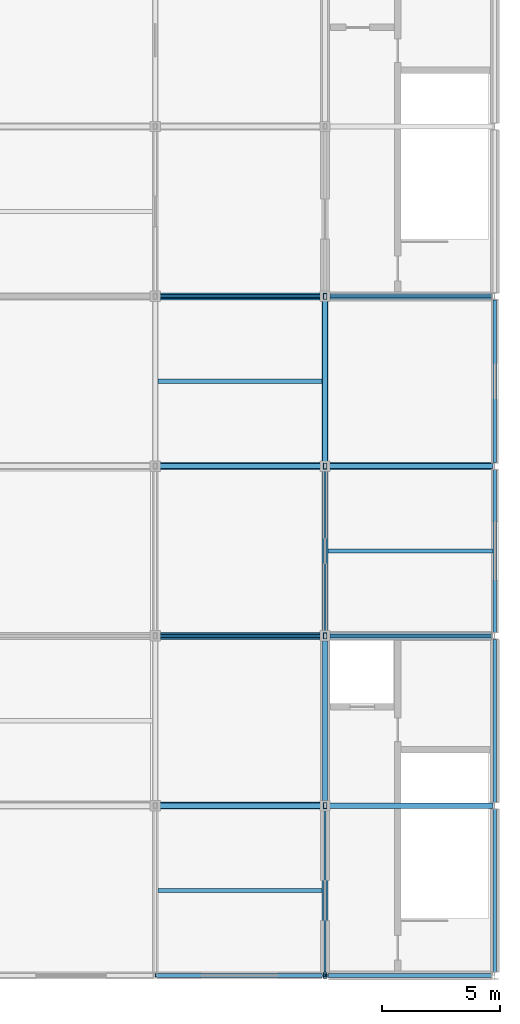
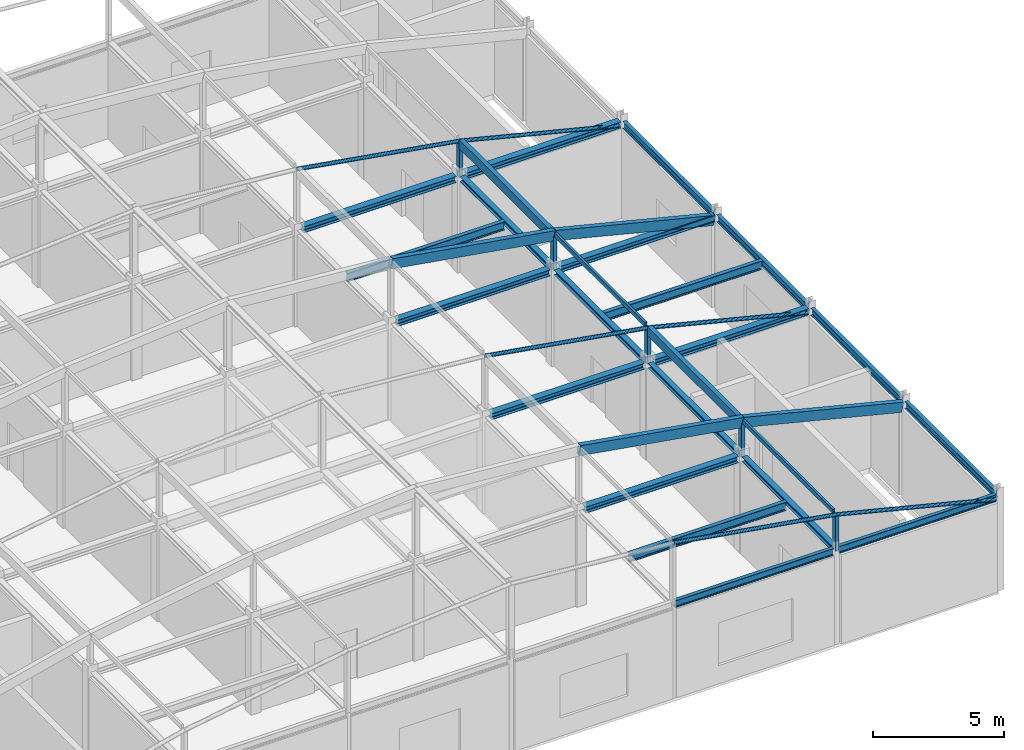
# One storey, part 11 of 23: 20 beams, 19 members.
"""IFC4 building model written with IfcOpenShell, lengths in metres."""

from ifc_helpers import new_model, si_unit, direction, frame, origin, origin_2d, place, context, subcontext, project, spatial, rectangle, hollow_rectangle, hollow_circle, i_section, extrude, material, material_profile, profile_set, type_object, element, save


model = new_model("IFC4")

# Units and contexts
model_context = context("Model", 3, precision=1e-05, world=origin(), true_north=direction((0.0, 1.0)))
body_context = subcontext(model_context, "Body", "Model", "MODEL_VIEW")
ifc_project = project(units=[si_unit("LENGTHUNIT", "METRE"), si_unit("AREAUNIT", "SQUARE_METRE"), si_unit("VOLUMEUNIT", "CUBIC_METRE"), si_unit("PLANEANGLEUNIT", "RADIAN"), si_unit("MASSUNIT", "GRAM", prefix="KILO")], contexts=[model_context])

# Site, building, storey
site_placement = place(None, origin())
site = spatial("IfcSite", under=ifc_project, at=site_placement, CompositionType="ELEMENT")
building_placement = place(site_placement, origin())
building = spatial("IfcBuilding", under=site, at=building_placement, Name="Cendaluz Park School", CompositionType="ELEMENT")
storey_placement = place(building_placement, frame((0.0, 0.0, 67.199951171875)))
storey = spatial("IfcBuildingStorey", under=building, at=storey_placement, Name="L16", CompositionType="ELEMENT", Elevation=67.199951171875)

# Beams
ifc_material_1 = material(Name="Steel S355", Category="steel")
ifc_material_profile_1 = material_profile(ifc_material_1, i_section(OverallWidth=0.300048828125, OverallDepth=0.2900390625, WebThickness=0.009033203125, FlangeThickness=0.013916015625, FilletRadius=0.027099609375, at=origin_2d()), Name="HEA 300", Category="steel")
ifc_profile_set_1 = profile_set([ifc_material_profile_1], Name="Steel S355")
beam_type_1 = type_object("IfcBeamType", Name="BM-ST05", PredefinedType="BEAM", material=ifc_profile_set_1)
for number, where, z_axis, x_axis, name in (
    (1, (93.820068359375, 21.60009765625, 4.344970703125), (1.0, 0.0, 0.0), (0.0, 1.0, 0.0), "BM-L16-BMST05-0026"),
    (2, (93.820068359375, 28.800048828125, 4.344970703125), (1.0, 0.0, 0.0), (0.0, 1.0, 0.0), "BM-L16-BMST05-0027"),
    (3, (93.820068359375, 36.0, 4.344970703125), (1.0, 0.0, 0.0), (0.0, 1.0, 0.0), "BM-L16-BMST05-0028"),
    (4, (93.820068359375, 43.199951171875, 4.344970703125), (1.0, 0.0, 0.0), (0.0, 1.0, 0.0), "BM-L16-BMST05-0029"),
):
    element("IfcBeam", number, at=place(storey_placement, frame(where, z_axis=z_axis, x_axis=x_axis)), inside=storey, type_object=beam_type_1, Name=name, PredefinedType="BEAM", context=body_context, shape_type="SweptSolid", body=[
        extrude(i_section(OverallWidth=0.300048828125, OverallDepth=0.2900390625, WebThickness=0.009033203125, FlangeThickness=0.013916015625, FilletRadius=0.027099609375, at=origin_2d()), origin(), (0.0, 0.0, 1.0), 6.760009765625),
    ])
for number, where, z_axis, x_axis, name in (
    (5, (101.02001953125, 28.800048828125, 4.344970703125), (1.0, 0.0, 0.0), (0.0, 1.0, 0.0), "BM-L16-BMST05-0033"),
    (6, (101.02001953125, 36.0, 4.344970703125), (1.0, 0.0, 0.0), (0.0, 1.0, 0.0), "BM-L16-BMST05-0034"),
    (7, (101.02001953125, 43.199951171875, 4.344970703125), (1.0, 0.0, 0.0), (0.0, 1.0, 0.0), "BM-L16-BMST05-0035"),
):
    element("IfcBeam", number, at=place(storey_placement, frame(where, z_axis=z_axis, x_axis=x_axis)), inside=storey, type_object=beam_type_1, Name=name, PredefinedType="BEAM", context=body_context, shape_type="SweptSolid", body=[
        extrude(i_section(OverallWidth=0.300048828125, OverallDepth=0.2900390625, WebThickness=0.009033203125, FlangeThickness=0.013916015625, FilletRadius=0.027099609375, at=origin_2d()), origin(), (0.0, 0.0, 1.0), 6.830078125),
    ])
ifc_material_profile_2 = material_profile(ifc_material_1, i_section(OverallWidth=0.239990234375, OverallDepth=0.22998046875, WebThickness=0.008056640625, FlangeThickness=0.011962890625, FilletRadius=0.02099609375, at=origin_2d()), Name="HEA 240", Category="steel")
ifc_profile_set_2 = profile_set([ifc_material_profile_2], Name="Steel S355")
beam_type_2 = type_object("IfcBeamType", Name="BM-ST06", PredefinedType="BEAM", material=ifc_profile_set_2)
beam_1_placement = place(storey_placement, frame((100.800048828125, 14.53662109375, 4.375), z_axis=(0.0, 1.0, 0.0), x_axis=(-1.0, 0.0, 0.0)))
element("IfcBeam", 8, at=beam_1_placement, inside=storey, type_object=beam_type_2, Name="BM-L16-BMST06-0065", PredefinedType="BEAM", context=body_context, shape_type="SweptSolid", body=[
    extrude(i_section(OverallWidth=0.239990234375, OverallDepth=0.22998046875, WebThickness=0.008056640625, FlangeThickness=0.011962890625, FilletRadius=0.02099609375, at=origin_2d()), origin(), (0.0, 0.0, 1.0), 6.84326171875),
])
for number, where, z_axis, x_axis, name in (
    (9, (100.800048828125, 21.820068359375, 4.375), (0.0, 1.0, 0.0), (-1.0, 0.0, 0.0), "BM-L16-BMST06-0066"),
    (10, (100.800048828125, 29.02001953125, 4.375), (0.0, 1.0, 0.0), (-1.0, 0.0, 0.0), "BM-L16-BMST06-0067"),
    (11, (100.800048828125, 36.219970703125, 4.375), (0.0, 1.0, 0.0), (-1.0, 0.0, 0.0), "BM-L16-BMST06-0068"),
):
    element("IfcBeam", number, at=place(storey_placement, frame(where, z_axis=z_axis, x_axis=x_axis)), inside=storey, type_object=beam_type_2, Name=name, PredefinedType="BEAM", context=body_context, shape_type="SweptSolid", body=[
        extrude(i_section(OverallWidth=0.239990234375, OverallDepth=0.22998046875, WebThickness=0.008056640625, FlangeThickness=0.011962890625, FilletRadius=0.02099609375, at=origin_2d()), origin(), (0.0, 0.0, 1.0), 6.760009765625),
    ])
ifc_material_profile_3 = material_profile(ifc_material_1, i_section(OverallWidth=0.179931640625, OverallDepth=0.39990234375, WebThickness=0.009033203125, FlangeThickness=0.013916015625, FilletRadius=0.02099609375, at=origin_2d()), Name="IPE 400", Category="steel")
ifc_profile_set_3 = profile_set([ifc_material_profile_3], Name="Steel S355")
beam_type_3 = type_object("IfcBeamType", Name="BM-ST07", PredefinedType="BEAM", material=ifc_profile_set_3)
for number, where, z_axis, x_axis, name in (
    (12, (93.719970703125, 18.0, 4.2900390625), (1.0, 0.0, 0.0), (0.0, 1.0, 0.0), "BM-L16-BMST07-0086"),
    (13, (93.719970703125, 39.60009765625, 4.2900390625), (1.0, 0.0, 0.0), (0.0, 1.0, 0.0), "BM-L16-BMST07-0087"),
):
    element("IfcBeam", number, at=place(storey_placement, frame(where, z_axis=z_axis, x_axis=x_axis)), inside=storey, type_object=beam_type_3, Name=name, PredefinedType="BEAM", context=body_context, shape_type="SweptSolid", body=[
        extrude(i_section(OverallWidth=0.179931640625, OverallDepth=0.39990234375, WebThickness=0.009033203125, FlangeThickness=0.013916015625, FilletRadius=0.02099609375, at=origin_2d()), origin(), (0.0, 0.0, 1.0), 6.9599609375),
    ])
beam_2_placement = place(storey_placement, frame((100.919921875, 32.39990234375, 4.2900390625), z_axis=(1.0, 0.0, 0.0), x_axis=(0.0, 1.0, 0.0)))
element("IfcBeam", 14, at=beam_2_placement, inside=storey, type_object=beam_type_3, Name="BM-L16-BMST07-0088", PredefinedType="BEAM", context=body_context, shape_type="SweptSolid", body=[
    extrude(i_section(OverallWidth=0.179931640625, OverallDepth=0.39990234375, WebThickness=0.009033203125, FlangeThickness=0.013916015625, FilletRadius=0.02099609375, at=origin_2d()), origin(), (0.0, 0.0, 1.0), 7.0),
])
ifc_material_profile_4 = material_profile(ifc_material_1, i_section(OverallWidth=0.159912109375, OverallDepth=0.330078125, WebThickness=0.008056640625, FlangeThickness=0.011962890625, FilletRadius=0.01806640625, at=origin_2d()), Name="IPE 330", Category="steel")
ifc_profile_set_4 = profile_set([ifc_material_profile_4], Name="Steel S355")
beam_type_4 = type_object("IfcBeamType", Name="BM-ST08", PredefinedType="LINTEL", material=ifc_profile_set_4)
beam_3_placement = place(storey_placement, frame((93.675048828125, 14.39990234375, 4.324951171875), z_axis=(1.0, 0.0, 0.0), x_axis=(0.0, 1.0, 0.0)))
element("IfcBeam", 15, at=beam_3_placement, inside=storey, type_object=beam_type_4, Name="BM-L16-BMST08-0025", PredefinedType="LINTEL", context=body_context, shape_type="SweptSolid", body=[
    extrude(i_section(OverallWidth=0.159912109375, OverallDepth=0.330078125, WebThickness=0.008056640625, FlangeThickness=0.011962890625, FilletRadius=0.01806640625, at=origin_2d()), origin(), (0.0, 0.0, 1.0), 6.988525390625),
])
beam_4_placement = place(storey_placement, frame((100.9365234375, 14.39990234375, 4.324951171875), z_axis=(1.0, 0.0, 0.0), x_axis=(0.0, 1.0, 0.0)))
element("IfcBeam", 16, at=beam_4_placement, inside=storey, type_object=beam_type_4, Name="BM-L16-BMST08-0032", PredefinedType="LINTEL", context=body_context, shape_type="SweptSolid", body=[
    extrude(i_section(OverallWidth=0.159912109375, OverallDepth=0.330078125, WebThickness=0.008056640625, FlangeThickness=0.011962890625, FilletRadius=0.01806640625, at=origin_2d()), origin(), (0.0, 0.0, 1.0), 6.91357421875),
])
beam_5_placement = place(storey_placement, frame((108.0, 14.550048828125, 4.324951171875), z_axis=(0.0, 1.0, 0.0), x_axis=(-1.0, 0.0, 0.0)))
element("IfcBeam", 17, at=beam_5_placement, inside=storey, type_object=beam_type_4, Name="BM-L16-BMST08-0071", PredefinedType="LINTEL", context=body_context, shape_type="SweptSolid", body=[
    extrude(i_section(OverallWidth=0.159912109375, OverallDepth=0.330078125, WebThickness=0.008056640625, FlangeThickness=0.011962890625, FilletRadius=0.01806640625, at=origin_2d()), origin(), (0.0, 0.0, 1.0), 6.905029296875),
])
beam_6_placement = place(storey_placement, frame((108.0, 21.7451171875, 4.324951171875), z_axis=(0.0, 1.0, 0.0), x_axis=(-1.0, 0.0, 0.0)))
element("IfcBeam", 18, at=beam_6_placement, inside=storey, type_object=beam_type_4, Name="BM-L16-BMST08-0072", PredefinedType="LINTEL", context=body_context, shape_type="SweptSolid", body=[
    extrude(i_section(OverallWidth=0.159912109375, OverallDepth=0.330078125, WebThickness=0.008056640625, FlangeThickness=0.011962890625, FilletRadius=0.01806640625, at=origin_2d()), origin(), (0.0, 0.0, 1.0), 6.90478515625),
])
for number, where, z_axis, x_axis, name in (
    (19, (108.0, 28.949951171875, 4.324951171875), (0.0, 1.0, 0.0), (-1.0, 0.0, 0.0), "BM-L16-BMST08-0073"),
    (20, (108.0, 36.14501953125, 4.324951171875), (0.0, 1.0, 0.0), (-1.0, 0.0, 0.0), "BM-L16-BMST08-0074"),
):
    element("IfcBeam", number, at=place(storey_placement, frame(where, z_axis=z_axis, x_axis=x_axis)), inside=storey, type_object=beam_type_4, Name=name, PredefinedType="LINTEL", context=body_context, shape_type="SweptSolid", body=[
        extrude(i_section(OverallWidth=0.159912109375, OverallDepth=0.330078125, WebThickness=0.008056640625, FlangeThickness=0.011962890625, FilletRadius=0.01806640625, at=origin_2d()), origin(), (0.0, 0.0, 1.0), 6.905029296875),
    ])

# Members
ifc_material_profile_5 = material_profile(ifc_material_1, hollow_circle(Radius=0.083984375, WallThickness=0.008056640625, at=origin_2d()), Name="CHS 168x8", Category="steel")
ifc_profile_set_5 = profile_set([ifc_material_profile_5], Name="Steel S355")
member_type_1 = type_object("IfcMemberType", Name="MB-CH02", PredefinedType="CHORD", material=ifc_profile_set_5)
member_1_placement = place(storey_placement, frame((93.60009765625, 14.39990234375, 7.179931640625), z_axis=(0.986394827799, 0.0, -0.164393563414), x_axis=(0.0, 1.0, 0.0)))
element("IfcMember", 21, at=member_1_placement, inside=storey, type_object=member_type_1, Name="MB-L16-MBCH02-0010", PredefinedType="CHORD", context=body_context, shape_type="SweptSolid", body=[
    extrude(hollow_circle(Radius=0.083984375, WallThickness=0.008056640625, at=origin_2d()), origin(), (0.0, 0.0, 1.0), 7.29931640625),
])
member_2_placement = place(storey_placement, frame((100.800048828125, 14.39990234375, 5.97998046875), z_axis=(0.970304131105, 0.0, -0.241888183178), x_axis=(0.0, 1.0, 0.0)))
element("IfcMember", 22, at=member_2_placement, inside=storey, type_object=member_type_1, Name="MB-L16-MBCH02-0011", PredefinedType="CHORD", context=body_context, shape_type="SweptSolid", body=[
    extrude(hollow_circle(Radius=0.083984375, WallThickness=0.008056640625, at=origin_2d()), origin(), (0.0, 0.0, 1.0), 7.276123046875),
])
member_3_placement = place(storey_placement, frame((93.60009765625, 28.800048828125, 7.179931640625), z_axis=(0.986394827799, 0.0, -0.164393563414), x_axis=(0.0, 1.0, 0.0)))
element("IfcMember", 23, at=member_3_placement, inside=storey, type_object=member_type_1, Name="MB-L16-MBCH02-0032", PredefinedType="CHORD", context=body_context, shape_type="SweptSolid", body=[
    extrude(hollow_circle(Radius=0.083984375, WallThickness=0.008056640625, at=origin_2d()), origin(), (0.0, 0.0, 1.0), 7.29931640625),
])
member_4_placement = place(storey_placement, frame((100.800048828125, 28.800048828125, 5.97998046875), z_axis=(0.970304131105, 0.0, -0.241888183178), x_axis=(0.0, 1.0, 0.0)))
element("IfcMember", 24, at=member_4_placement, inside=storey, type_object=member_type_1, Name="MB-L16-MBCH02-0033", PredefinedType="CHORD", context=body_context, shape_type="SweptSolid", body=[
    extrude(hollow_circle(Radius=0.083984375, WallThickness=0.008056640625, at=origin_2d()), origin(), (0.0, 0.0, 1.0), 7.276123046875),
])
member_5_placement = place(storey_placement, frame((93.60009765625, 43.199951171875, 7.179931640625), z_axis=(0.986394827799, 0.0, -0.164393563414), x_axis=(0.0, 1.0, 0.0)))
element("IfcMember", 25, at=member_5_placement, inside=storey, type_object=member_type_1, Name="MB-L16-MBCH02-0054", PredefinedType="CHORD", context=body_context, shape_type="SweptSolid", body=[
    extrude(hollow_circle(Radius=0.083984375, WallThickness=0.008056640625, at=origin_2d()), origin(), (0.0, 0.0, 1.0), 7.29931640625),
])
member_6_placement = place(storey_placement, frame((100.800048828125, 43.199951171875, 5.97998046875), z_axis=(0.970304131105, 0.0, -0.241888183178), x_axis=(0.0, 1.0, 0.0)))
element("IfcMember", 26, at=member_6_placement, inside=storey, type_object=member_type_1, Name="MB-L16-MBCH02-0055", PredefinedType="CHORD", context=body_context, shape_type="SweptSolid", body=[
    extrude(hollow_circle(Radius=0.083984375, WallThickness=0.008056640625, at=origin_2d()), origin(), (0.0, 0.0, 1.0), 7.276123046875),
])
ifc_material_2 = material(Name="Glulam GL28h", Category="wood")
ifc_material_profile_6 = material_profile(ifc_material_2, rectangle(XDim=0.219970703125, YDim=0.4599609375, at=origin_2d()), Name="GL28h 220x460", Category="wood")
ifc_profile_set_6 = profile_set([ifc_material_profile_6], Name="Glulam GL28h")
member_type_2 = type_object("IfcMemberType", Name="MB-CH03", PredefinedType="CHORD", material=ifc_profile_set_6)
member_7_placement = place(storey_placement, frame((93.60009765625, 21.60009765625, 7.179931640625), z_axis=(0.986394827799, 0.0, -0.164393563414), x_axis=(0.0, 1.0, 0.0)))
element("IfcMember", 27, at=member_7_placement, inside=storey, type_object=member_type_2, Name="MB-L16-MBCH03-0021", PredefinedType="CHORD", context=body_context, shape_type="SweptSolid", body=[
    extrude(rectangle(XDim=0.219970703125, YDim=0.4599609375, at=origin_2d()), origin(), (0.0, 0.0, 1.0), 7.29931640625),
])
member_8_placement = place(storey_placement, frame((100.800048828125, 21.60009765625, 5.97998046875), z_axis=(0.970304131105, 0.0, -0.241888183178), x_axis=(0.0, 1.0, 0.0)))
element("IfcMember", 28, at=member_8_placement, inside=storey, type_object=member_type_2, Name="MB-L16-MBCH03-0022", PredefinedType="CHORD", context=body_context, shape_type="SweptSolid", body=[
    extrude(rectangle(XDim=0.219970703125, YDim=0.4599609375, at=origin_2d()), origin(), (0.0, 0.0, 1.0), 7.276123046875),
])
member_9_placement = place(storey_placement, frame((93.60009765625, 36.0, 7.179931640625), z_axis=(0.986394827799, 0.0, -0.164393563414), x_axis=(0.0, 1.0, 0.0)))
element("IfcMember", 29, at=member_9_placement, inside=storey, type_object=member_type_2, Name="MB-L16-MBCH03-0043", PredefinedType="CHORD", context=body_context, shape_type="SweptSolid", body=[
    extrude(rectangle(XDim=0.219970703125, YDim=0.4599609375, at=origin_2d()), origin(), (0.0, 0.0, 1.0), 7.29931640625),
])
member_10_placement = place(storey_placement, frame((100.800048828125, 36.0, 5.97998046875), z_axis=(0.970304131105, 0.0, -0.241888183178), x_axis=(0.0, 1.0, 0.0)))
element("IfcMember", 30, at=member_10_placement, inside=storey, type_object=member_type_2, Name="MB-L16-MBCH03-0044", PredefinedType="CHORD", context=body_context, shape_type="SweptSolid", body=[
    extrude(rectangle(XDim=0.219970703125, YDim=0.4599609375, at=origin_2d()), origin(), (0.0, 0.0, 1.0), 7.276123046875),
])
ifc_material_profile_7 = material_profile(ifc_material_1, hollow_rectangle(XDim=0.10009765625, YDim=0.199951171875, WallThickness=0.008056640625, at=origin_2d()), Name="RHS 200x100x8", Category="steel")
ifc_profile_set_7 = profile_set([ifc_material_profile_7], Name="Steel S355")
member_type_3 = type_object("IfcMemberType", Name="MB-PR03", PredefinedType="PURLIN", material=ifc_profile_set_7)
member_11_placement = place(storey_placement, frame((100.800048828125, 14.5400390625, 6.050048828125), z_axis=(0.0, 1.0, 0.0), x_axis=(-1.0, 0.0, 0.0)))
element("IfcMember", 31, at=member_11_placement, inside=storey, type_object=member_type_3, Name="MB-L16-MBPR03-0081", PredefinedType="PURLIN", context=body_context, shape_type="SweptSolid", body=[
    extrude(hollow_rectangle(XDim=0.10009765625, YDim=0.199951171875, WallThickness=0.008056640625, at=origin_2d()), origin(), (0.0, 0.0, 1.0), 6.919921875),
])
member_12_placement = place(storey_placement, frame((100.800048828125, 28.93994140625, 6.050048828125), z_axis=(0.0, 1.0, 0.0), x_axis=(-1.0, 0.0, 0.0)))
element("IfcMember", 32, at=member_12_placement, inside=storey, type_object=member_type_3, Name="MB-L16-MBPR03-0089", PredefinedType="PURLIN", context=body_context, shape_type="SweptSolid", body=[
    extrude(hollow_rectangle(XDim=0.10009765625, YDim=0.199951171875, WallThickness=0.008056640625, at=origin_2d()), origin(), (0.0, 0.0, 1.0), 6.920166015625),
])
ifc_material_profile_8 = material_profile(ifc_material_2, rectangle(XDim=0.199951171875, YDim=0.419921875, at=origin_2d()), Name="GL28h 200x420", Category="wood")
ifc_profile_set_8 = profile_set([ifc_material_profile_8], Name="Glulam GL28h")
member_type_4 = type_object("IfcMemberType", Name="MB-PR04", PredefinedType="PURLIN", material=ifc_profile_set_8)
member_13_placement = place(storey_placement, frame((100.800048828125, 21.739990234375, 5.93994140625), z_axis=(0.0, 1.0, 0.0), x_axis=(-1.0, 0.0, 0.0)))
element("IfcMember", 33, at=member_13_placement, inside=storey, type_object=member_type_4, Name="MB-L16-MBPR04-0085", PredefinedType="PURLIN", context=body_context, shape_type="SweptSolid", body=[
    extrude(rectangle(XDim=0.199951171875, YDim=0.419921875, at=origin_2d()), origin(), (0.0, 0.0, 1.0), 6.919921875),
])
member_14_placement = place(storey_placement, frame((100.800048828125, 36.139892578125, 5.93994140625), z_axis=(0.0, 1.0, 0.0), x_axis=(-1.0, 0.0, 0.0)))
element("IfcMember", 34, at=member_14_placement, inside=storey, type_object=member_type_4, Name="MB-L16-MBPR04-0093", PredefinedType="PURLIN", context=body_context, shape_type="SweptSolid", body=[
    extrude(rectangle(XDim=0.199951171875, YDim=0.419921875, at=origin_2d()), origin(), (0.0, 0.0, 1.0), 6.920166015625),
])
ifc_material_profile_9 = material_profile(ifc_material_1, hollow_rectangle(XDim=0.14990234375, YDim=0.25, WallThickness=0.010009765625, at=origin_2d()), Name="RHS 250x150x10", Category="steel")
ifc_profile_set_9 = profile_set([ifc_material_profile_9], Name="Steel S355")
member_type_5 = type_object("IfcMemberType", Name="MST-02", PredefinedType="STRUT", material=ifc_profile_set_9)
for number, where, z_axis, x_axis, name in (
    (35, (100.800048828125, 14.39990234375, 4.35009765625), (0.0, 0.0, 1.0), (1.0, 0.0, 0.0), "MB-L16-MBST02-0005"),
    (36, (100.800048828125, 21.60009765625, 4.35009765625), (0.0, 0.0, 1.0), (1.0, 0.0, 0.0), "MB-L16-MBST02-0016"),
    (37, (100.800048828125, 28.800048828125, 4.35009765625), (0.0, 0.0, 1.0), (1.0, 0.0, 0.0), "MB-L16-MBST02-0027"),
    (38, (100.800048828125, 36.0, 4.35009765625), (0.0, 0.0, 1.0), (1.0, 0.0, 0.0), "MB-L16-MBST02-0038"),
    (39, (100.800048828125, 43.199951171875, 4.35009765625), (0.0, 0.0, 1.0), (1.0, 0.0, 0.0), "MB-L16-MBST02-0049"),
):
    element("IfcMember", number, at=place(storey_placement, frame(where, z_axis=z_axis, x_axis=x_axis)), inside=storey, type_object=member_type_5, Name=name, PredefinedType="STRUT", context=body_context, shape_type="SweptSolid", body=[
        extrude(hollow_rectangle(XDim=0.14990234375, YDim=0.25, WallThickness=0.010009765625, at=origin_2d()), origin(), (0.0, 0.0, 1.0), 1.6298828125),
    ])

save(model, "model.ifc")
